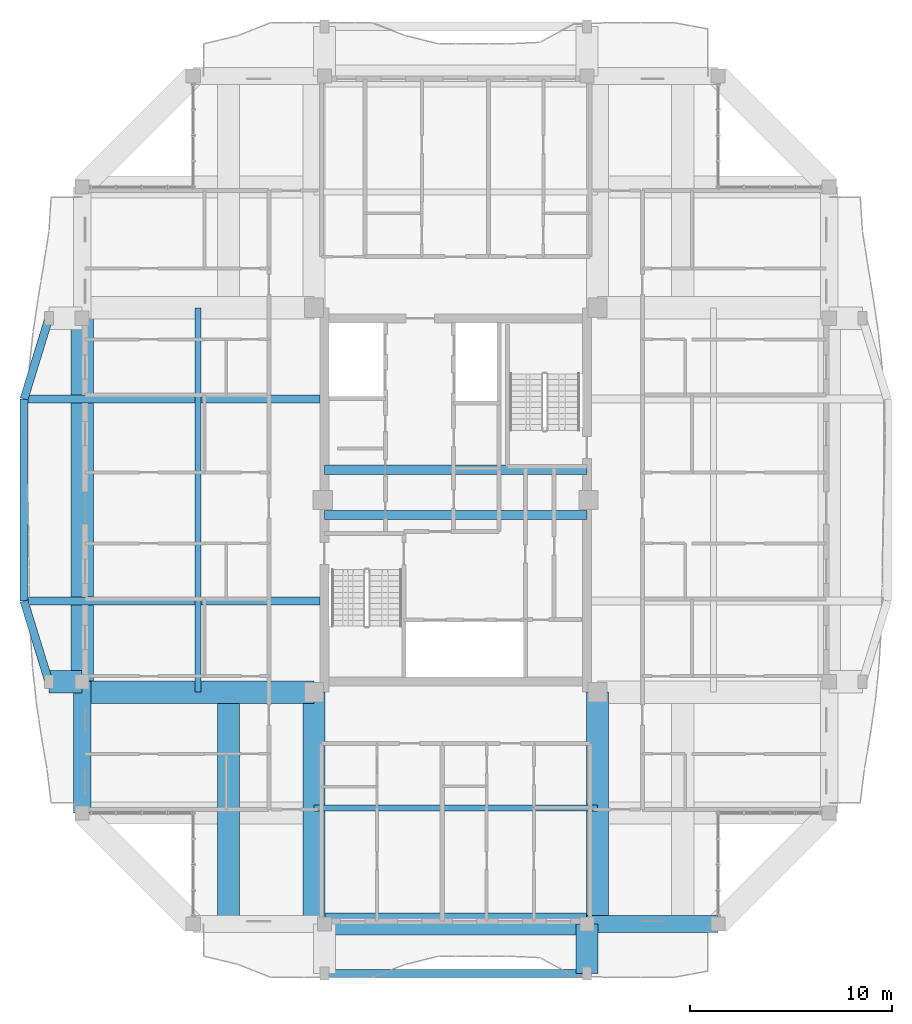
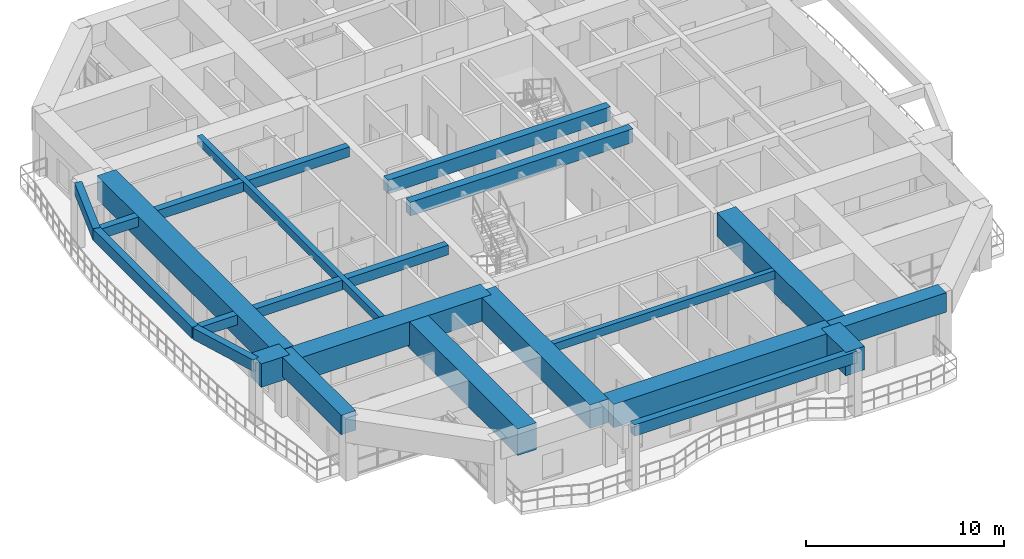
# One storey, part 3 of 22: 20 beams.
"""IFC4 building model written with IfcOpenShell, lengths in metres."""

from ifc_helpers import new_model, si_unit, direction, frame, origin, origin_2d, place, context, subcontext, project, spatial, rectangle, extrude, source, transform, mapped, material, material_profile, profile_set, type_object, element, save


model = new_model("IFC4")

# Units and contexts
model_context = context("Model", 3, precision=1e-05, world=origin(), true_north=direction((0.0, 1.0)))
body_context = subcontext(model_context, "Body", "Model", "MODEL_VIEW")
ifc_project = project(units=[si_unit("LENGTHUNIT", "METRE"), si_unit("AREAUNIT", "SQUARE_METRE"), si_unit("VOLUMEUNIT", "CUBIC_METRE"), si_unit("PLANEANGLEUNIT", "RADIAN"), si_unit("MASSUNIT", "GRAM", prefix="KILO")], contexts=[model_context])

# Site, building, storey
site_placement = place(None, origin())
site = spatial("IfcSite", under=ifc_project, at=site_placement, CompositionType="ELEMENT")
building_placement = place(site_placement, origin())
building = spatial("IfcBuilding", under=site, at=building_placement, Name="Saelheon Loggia Tower", CompositionType="ELEMENT")
storey_placement = place(building_placement, frame((0.0, 0.0, 216.300048828125)))
storey = spatial("IfcBuildingStorey", under=building, at=storey_placement, Name="L67", CompositionType="ELEMENT", Elevation=216.300048828125)

# Beams
ifc_material_1 = material(Name="Concrete C50/60", Category="concrete")
ifc_material_profile_1 = material_profile(ifc_material_1, rectangle(XDim=0.449951171875, YDim=0.85009765625, at=origin_2d()), Name="RC-450x850")
ifc_profile_set_1 = profile_set([ifc_material_profile_1], Name="Concrete C50/60")
beam_type_1 = type_object("IfcBeamType", Name="Beam_CoreLintel_RC450x850", PredefinedType="LINTEL", material=ifc_profile_set_1)
shared_shape_1 = source(origin(), body_context, "Body", "SweptSolid", [
    extrude(rectangle(XDim=0.449951171875, YDim=0.85009765625, at=origin_2d()), origin(), (0.0, 0.0, 1.0), 13.0),
])
for number, where, z_axis, x_axis, name in (
    (1, (31.5, 26.25, 3.474853515625), (1.0, 0.0, 0.0), (0.0, 1.0, 0.0), "L67 Core Coupling Lintel 1"),
    (2, (31.5, 28.5, 3.474853515625), (1.0, 0.0, 0.0), (0.0, 1.0, 0.0), "L67 Core Coupling Lintel 2"),
):
    element("IfcBeam", number, at=place(storey_placement, frame(where, z_axis=z_axis, x_axis=x_axis)), inside=storey, type_object=beam_type_1, Name=name, PredefinedType="LINTEL", context=body_context, shape_type="MappedRepresentation", body=[
        mapped(shared_shape_1, transform((0.0, 0.0, 0.0), scale=1.0)),
    ])
ifc_material_profile_2 = material_profile(ifc_material_1, rectangle(XDim=1.10009765625, YDim=1.449951171875, at=origin_2d()), Name="RC-1100x1450")
ifc_profile_set_2 = profile_set([ifc_material_profile_2], Name="Concrete C50/60")
beam_type_2 = type_object("IfcBeamType", Name="Beam_PerimTransfer_RC1100x1450", PredefinedType="BEAM", material=ifc_profile_set_2)
shared_shape_2 = source(origin(), body_context, "Body", "SweptSolid", [
    extrude(rectangle(XDim=1.10009765625, YDim=1.449951171875, at=origin_2d()), origin(), (0.0, 0.0, 1.0), 2.449951171875),
])
beam_1_placement = place(storey_placement, frame((44.5, 6.0, 3.175048828125), z_axis=(0.0, -1.0, 0.0), x_axis=(1.0, 0.0, 0.0)))
element("IfcBeam", 3, at=beam_1_placement, inside=storey, type_object=beam_type_2, Name="L67 Loggia Frame Tie Beam LP-S2", PredefinedType="BEAM", context=body_context, shape_type="MappedRepresentation", body=[
    mapped(shared_shape_2, transform((0.0, 0.0, 0.0), scale=1.0)),
])
ifc_material_2 = material(Name="Concrete C40/50", Category="concrete")
ifc_material_profile_3 = material_profile(ifc_material_2, rectangle(XDim=0.300048828125, YDim=0.5, at=origin_2d()), Name="RC-300x500")
ifc_profile_set_3 = profile_set([ifc_material_profile_3], Name="Concrete C40/50")
beam_type_3 = type_object("IfcBeamType", Name="Beam_Joist_RC300x500", PredefinedType="JOIST", material=ifc_profile_set_3)
shared_shape_3 = source(origin(), body_context, "Body", "SweptSolid", [
    extrude(rectangle(XDim=0.300048828125, YDim=0.5, at=origin_2d()), origin(), (0.0, 0.0, 1.0), 14.0400390625),
])
beam_2_placement = place(storey_placement, frame((30.97998046875, 11.739990234375, 3.64990234375), z_axis=(1.0, 0.0, 0.0), x_axis=(0.0, 1.0, 0.0)))
element("IfcBeam", 4, at=beam_2_placement, inside=storey, type_object=beam_type_3, Name="L67 South Floor Joist", PredefinedType="JOIST", context=body_context, shape_type="MappedRepresentation", body=[
    mapped(shared_shape_3, transform((0.0, 0.0, 0.0), scale=1.0)),
])
shared_shape_4 = source(origin(), body_context, "Body", "SweptSolid", [
    extrude(rectangle(XDim=0.300048828125, YDim=0.5, at=origin_2d()), origin(), (0.0, 0.0, 1.0), 19.0400390625),
])
beam_3_placement = place(storey_placement, frame((25.239990234375, 17.47998046875, 3.64990234375), z_axis=(0.0, 1.0, 0.0), x_axis=(-1.0, 0.0, 0.0)))
element("IfcBeam", 5, at=beam_3_placement, inside=storey, type_object=beam_type_3, Name="L67 West Floor Joist", PredefinedType="JOIST", context=body_context, shape_type="MappedRepresentation", body=[
    mapped(shared_shape_4, transform((0.0, 0.0, 0.0), scale=1.0)),
])
shared_shape_5 = source(origin(), body_context, "Body", "SweptSolid", [
    extrude(rectangle(XDim=1.10009765625, YDim=1.449951171875, at=origin_2d()), origin(), (0.0, 0.0, 1.0), 13.0),
])
beam_4_placement = place(storey_placement, frame((31.5, 6.0, 3.175048828125), z_axis=(1.0, 0.0, 0.0), x_axis=(0.0, 1.0, 0.0)))
element("IfcBeam", 6, at=beam_4_placement, inside=storey, type_object=beam_type_2, Name="L67 Perimeter Frame Girder 02", PredefinedType="BEAM", context=body_context, shape_type="MappedRepresentation", body=[
    mapped(shared_shape_5, transform((0.0, 0.0, 0.0), scale=1.0)),
])
shared_shape_6 = source(origin(), body_context, "Body", "SweptSolid", [
    extrude(rectangle(XDim=1.10009765625, YDim=1.449951171875, at=origin_2d()), origin(), (0.0, 0.0, 1.0), 18.0),
])
beam_5_placement = place(storey_placement, frame((19.5, 36.0, 3.175048828125), z_axis=(0.0, -1.0, 0.0), x_axis=(1.0, 0.0, 0.0)))
element("IfcBeam", 7, at=beam_5_placement, inside=storey, type_object=beam_type_2, Name="L67 Perimeter Frame Girder 14", PredefinedType="BEAM", context=body_context, shape_type="MappedRepresentation", body=[
    mapped(shared_shape_6, transform((0.0, 0.0, 0.0), scale=1.0)),
])
ifc_material_profile_4 = material_profile(ifc_material_1, rectangle(XDim=1.10009765625, YDim=1.449951171875, at=origin_2d()), Name="RC-1100x1450")
ifc_profile_set_4 = profile_set([ifc_material_profile_4], Name="Concrete C50/60")
beam_type_4 = type_object("IfcBeamType", Name="Beam_Transfer_RC1100x1450", PredefinedType="BEAM", material=ifc_profile_set_4)
shared_shape_7 = source(origin(), body_context, "Body", "SweptSolid", [
    extrude(rectangle(XDim=1.10009765625, YDim=1.449951171875, at=origin_2d()), origin(), (0.0, 0.0, 1.0), 11.47998046875),
])
for number, where, z_axis, x_axis, name in (
    (8, (30.97998046875, 17.47998046875, 3.175048828125), (0.0, -1.0, 0.0), (1.0, 0.0, 0.0), "L67 Radial Floor Girder RAD-SW-S"),
    (9, (45.02001953125, 17.47998046875, 3.175048828125), (0.0, -1.0, 0.0), (1.0, 0.0, 0.0), "L67 Radial Floor Girder RAD-SE-S"),
    (10, (30.97998046875, 17.47998046875, 3.175048828125), (-1.0, 0.0, 0.0), (0.0, -1.0, 0.0), "L67 Radial Floor Girder RAD-SW-W"),
):
    element("IfcBeam", number, at=place(storey_placement, frame(where, z_axis=z_axis, x_axis=x_axis)), inside=storey, type_object=beam_type_4, Name=name, PredefinedType="BEAM", context=body_context, shape_type="MappedRepresentation", body=[
        mapped(shared_shape_7, transform((0.0, 0.0, 0.0), scale=1.0)),
    ])
ifc_material_profile_5 = material_profile(ifc_material_1, rectangle(XDim=1.10009765625, YDim=1.64990234375, at=origin_2d()), Name="RC-1100x1650")
ifc_profile_set_5 = profile_set([ifc_material_profile_5], Name="Concrete C50/60")
beam_type_5 = type_object("IfcBeamType", Name="Beam_MegaTransfer_RC1100x1650", PredefinedType="BEAM", material=ifc_profile_set_5)
shared_shape_8 = source(origin(), body_context, "Body", "SweptSolid", [
    extrude(rectangle(XDim=1.10009765625, YDim=1.64990234375, at=origin_2d()), origin(), (0.0, 0.0, 1.0), 11.47998046875),
])
beam_6_placement = place(storey_placement, frame((26.75, 6.0, 3.074951171875), z_axis=(0.0, 1.0, 0.0), x_axis=(-1.0, 0.0, 0.0)))
element("IfcBeam", 11, at=beam_6_placement, inside=storey, type_object=beam_type_5, Name="TG-L67-NL-SW", PredefinedType="BEAM", context=body_context, shape_type="MappedRepresentation", body=[
    mapped(shared_shape_8, transform((0.0, 0.0, 0.0), scale=1.0)),
])
shared_shape_9 = source(origin(), body_context, "Body", "SweptSolid", [
    extrude(rectangle(XDim=1.10009765625, YDim=1.449951171875, at=origin_2d()), origin(), (0.0, 0.0, 1.0), 1.64990234375),
])
beam_7_placement = place(storey_placement, frame((19.5, 18.0, 3.175048828125), z_axis=(-1.0, 0.0, 0.0), x_axis=(0.0, -1.0, 0.0)))
element("IfcBeam", 12, at=beam_7_placement, inside=storey, type_object=beam_type_2, Name="L67 Loggia Frame Tie Beam LP-W1", PredefinedType="BEAM", context=body_context, shape_type="MappedRepresentation", body=[
    mapped(shared_shape_9, transform((0.0, 0.0, 0.0), scale=1.0)),
])
ifc_material_3 = material(Name="Precast Concrete C45/55", Category="concrete")
ifc_material_profile_6 = material_profile(ifc_material_3, rectangle(XDim=0.39990234375, YDim=0.699951171875, at=origin_2d()), Name="RC-400x700")
ifc_profile_set_6 = profile_set([ifc_material_profile_6], Name="Precast Concrete C45/55")
beam_type_6 = type_object("IfcBeamType", Name="Beam_LoggiaSpandrel_RC400x700", PredefinedType="SPANDREL", material=ifc_profile_set_6)
shared_shape_10 = source(origin(), body_context, "Body", "SweptSolid", [
    extrude(rectangle(XDim=0.39990234375, YDim=0.699951171875, at=origin_2d()), origin(), (0.0, 0.0, 1.0), 13.0),
])
beam_8_placement = place(storey_placement, frame((31.5, 3.550048828125, 3.550048828125), z_axis=(1.0, 0.0, 0.0), x_axis=(0.0, 1.0, 0.0)))
element("IfcBeam", 13, at=beam_8_placement, inside=storey, type_object=beam_type_6, Name="L67 Loggia Spandrel Beam S", PredefinedType="SPANDREL", context=body_context, shape_type="MappedRepresentation", body=[
    mapped(shared_shape_10, transform((0.0, 0.0, 0.0), scale=1.0)),
])
shared_shape_11 = source(origin(), body_context, "Body", "SweptSolid", [
    extrude(rectangle(XDim=0.39990234375, YDim=0.699951171875, at=origin_2d()), origin(), (0.0, 0.0, 1.0), 4.184814453125),
])
for number, where, z_axis, x_axis, name in (
    (14, (17.85009765625, 18.0, 3.550048828125), (-0.293913664135, 0.955831971653, 0.0), (-0.955831971653, -0.293913664135, 0.0), "L67 Curved Loggia Spandrel W 1"),
    (15, (16.6201171875, 32.0, 3.550048828125), (0.293913664135, 0.955831971653, 0.0), (-0.955831971653, 0.293913664135, 0.0), "L67 Curved Loggia Spandrel W 3"),
):
    element("IfcBeam", number, at=place(storey_placement, frame(where, z_axis=z_axis, x_axis=x_axis)), inside=storey, type_object=beam_type_6, Name=name, PredefinedType="SPANDREL", context=body_context, shape_type="MappedRepresentation", body=[
        mapped(shared_shape_11, transform((0.0, 0.0, 0.0), scale=1.0)),
    ])
shared_shape_12 = source(origin(), body_context, "Body", "SweptSolid", [
    extrude(rectangle(XDim=0.39990234375, YDim=0.699951171875, at=origin_2d()), origin(), (0.0, 0.0, 1.0), 10.0),
])
beam_9_placement = place(storey_placement, frame((16.6201171875, 22.0, 3.550048828125), z_axis=(0.0, 1.0, 0.0), x_axis=(-1.0, 0.0, 0.0)))
element("IfcBeam", 16, at=beam_9_placement, inside=storey, type_object=beam_type_6, Name="L67 Curved Loggia Spandrel W 2", PredefinedType="SPANDREL", context=body_context, shape_type="MappedRepresentation", body=[
    mapped(shared_shape_12, transform((0.0, 0.0, 0.0), scale=1.0)),
])
ifc_material_profile_7 = material_profile(ifc_material_3, rectangle(XDim=0.39990234375, YDim=0.60009765625, at=origin_2d()), Name="RC-400x600")
ifc_profile_set_7 = profile_set([ifc_material_profile_7], Name="Precast Concrete C45/55")
beam_type_7 = type_object("IfcBeamType", Name="Beam_LoggiaTie_RC400x600", PredefinedType="BEAM", material=ifc_profile_set_7)
shared_shape_13 = source(origin(), body_context, "Body", "SweptSolid", [
    extrude(rectangle(XDim=0.39990234375, YDim=0.60009765625, at=origin_2d()), origin(), (0.0, 0.0, 1.0), 14.659912109375),
])
for number, where, z_axis, x_axis, name in (
    (17, (31.280029296875, 22.0, 3.599853515625), (-1.0, 0.0, 0.0), (0.0, -1.0, 0.0), "L67 Curved Facade Outrigger Beam W 1"),
    (18, (31.280029296875, 32.0, 3.599853515625), (-1.0, 0.0, 0.0), (0.0, -1.0, 0.0), "L67 Curved Facade Outrigger Beam W 2"),
):
    element("IfcBeam", number, at=place(storey_placement, frame(where, z_axis=z_axis, x_axis=x_axis)), inside=storey, type_object=beam_type_7, Name=name, PredefinedType="BEAM", context=body_context, shape_type="MappedRepresentation", body=[
        mapped(shared_shape_13, transform((0.0, 0.0, 0.0), scale=1.0)),
    ])
ifc_material_profile_8 = material_profile(ifc_material_1, rectangle(XDim=0.85009765625, YDim=1.199951171875, at=origin_2d()), Name="RC-850x1200")
ifc_profile_set_8 = profile_set([ifc_material_profile_8], Name="Concrete C50/60")
beam_type_8 = type_object("IfcBeamType", Name="Beam_CornerShoulder_RC850x1200", PredefinedType="BEAM", material=ifc_profile_set_8)
shared_shape_14 = source(origin(), body_context, "Body", "SweptSolid", [
    extrude(rectangle(XDim=0.85009765625, YDim=1.199951171875, at=origin_2d()), origin(), (0.0, 0.0, 1.0), 6.5),
])
for number, where, z_axis, x_axis, name in (
    (19, (44.5, 6.0, 3.300048828125), (1.0, 0.0, 0.0), (0.0, 1.0, 0.0), "L67 Corner Shoulder Beam 03"),
    (20, (19.5, 18.0, 3.300048828125), (0.0, -1.0, 0.0), (1.0, 0.0, 0.0), "L67 Corner Shoulder Beam 15"),
):
    element("IfcBeam", number, at=place(storey_placement, frame(where, z_axis=z_axis, x_axis=x_axis)), inside=storey, type_object=beam_type_8, Name=name, PredefinedType="BEAM", context=body_context, shape_type="MappedRepresentation", body=[
        mapped(shared_shape_14, transform((0.0, 0.0, 0.0), scale=1.0)),
    ])

save(model, "model.ifc")
